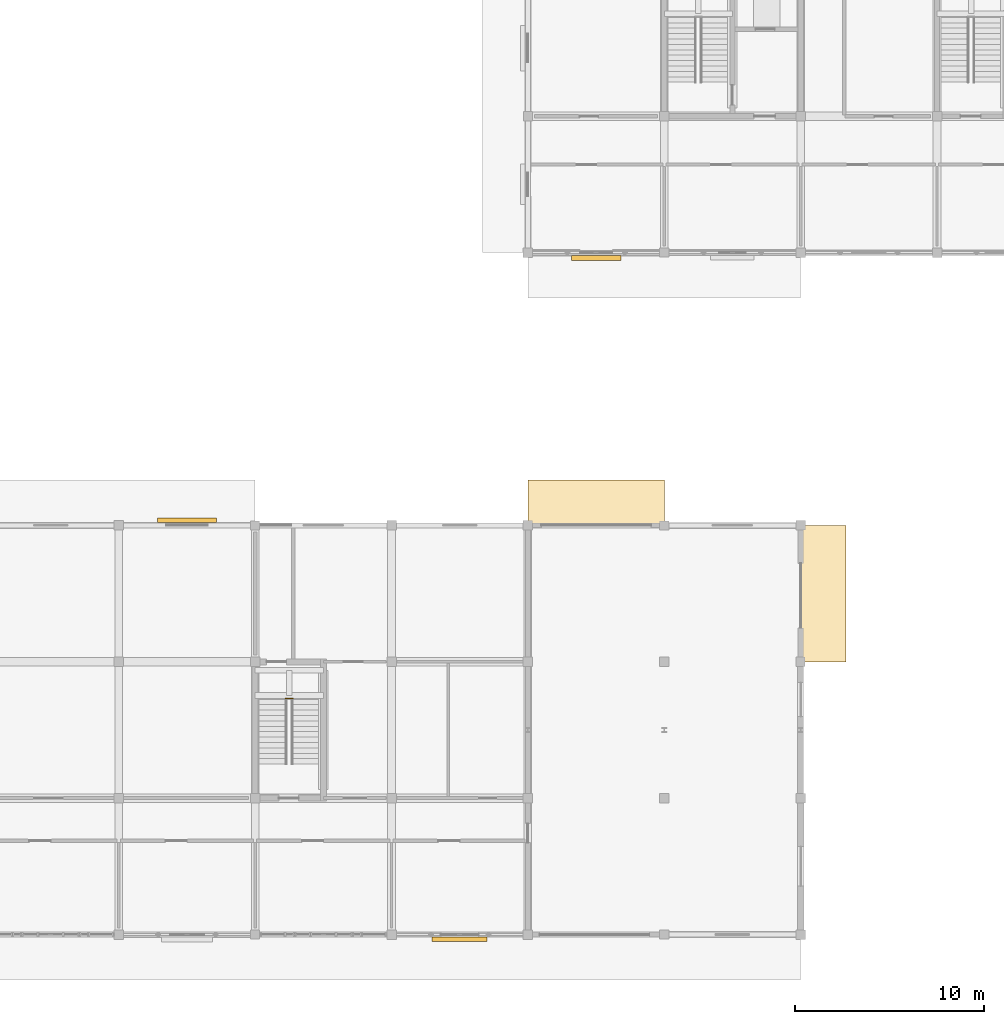
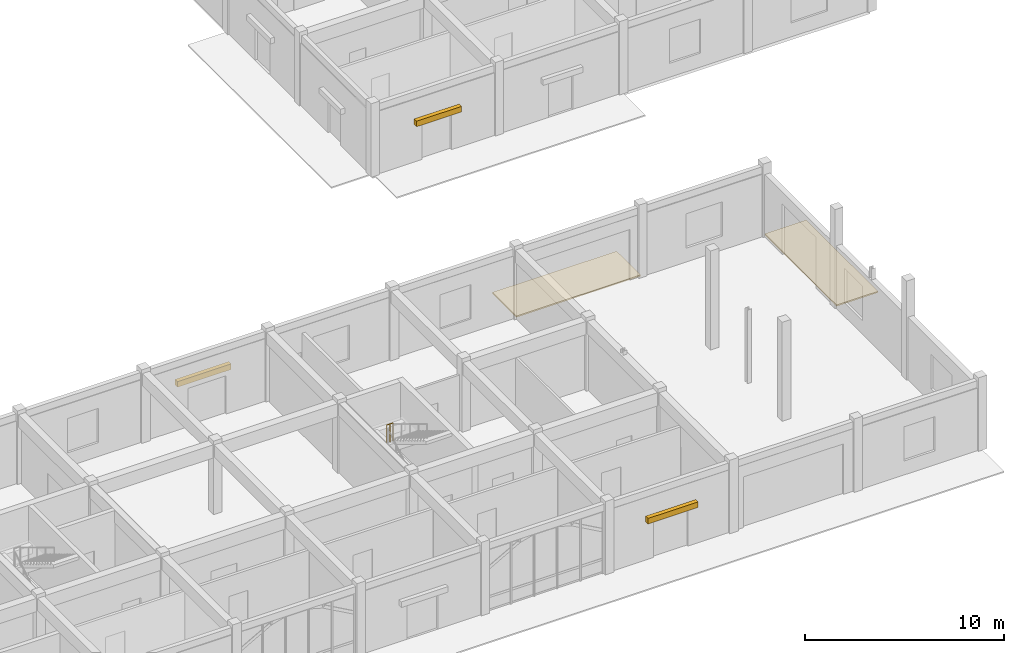
# One storey, part 127 of 138: 5 coverings, 1 railing.
"""IFC4 building model written with IfcOpenShell, lengths in metres."""

from ifc_helpers import new_model, si_unit, direction, frame, origin, origin_2d, place, context, subcontext, project, spatial, polyline, rectangle, circle, outline, extrude, material, layer, layer_set, type_object, element, save


model = new_model("IFC4")

# Units and contexts
model_context = context("Model", 3, precision=1e-05, world=origin(), true_north=direction((0.0, 1.0)))
body_context = subcontext(model_context, "Body", "Model", "MODEL_VIEW")
ifc_project = project(units=[si_unit("LENGTHUNIT", "METRE"), si_unit("AREAUNIT", "SQUARE_METRE"), si_unit("VOLUMEUNIT", "CUBIC_METRE"), si_unit("PLANEANGLEUNIT", "RADIAN"), si_unit("MASSUNIT", "GRAM", prefix="KILO"), si_unit("THERMODYNAMICTEMPERATUREUNIT", "KELVIN"), si_unit("POWERUNIT", "WATT")], contexts=[model_context])

# Site, building, storey
site_placement = place(None, origin())
site = spatial("IfcSite", under=ifc_project, at=site_placement, CompositionType="ELEMENT")
building_placement = place(site_placement, origin())
building = spatial("IfcBuilding", under=site, at=building_placement, Name="Tavuni Mirador Residences", CompositionType="ELEMENT")
storey_placement = place(building_placement, origin())
storey = spatial("IfcBuildingStorey", under=building, at=storey_placement, Name="L00", CompositionType="ELEMENT", Elevation=0.0)

# Coverings
ifc_material_1 = material(Name="Natural coral limestone", Category="masonry")
ifc_layer_1 = layer(ifc_material_1, 0.054931640625, Name="Natural coral limestone", Category="masonry")
ifc_layer_set_1 = layer_set([ifc_layer_1], Name="Natural coral limestone")
covering_type_1 = type_object("IfcCoveringType", Name="CVT-CLAD-CORAL", PredefinedType="CLADDING", material=ifc_layer_set_1)
covering_1_placement = place(storey_placement, frame((93.60498046875, 42.91796875, 2.2998046875), z_axis=(0.0, 0.0, 1.0), x_axis=(1.0, 0.0, 0.0)))
element("IfcCovering", 1, at=covering_1_placement, inside=storey, type_object=covering_type_1, Name="CLAD-PAV-NURS-S00", PredefinedType="CLADDING", context=body_context, shape_type="SweptSolid", body=[
    extrude(rectangle(XDim=2.60009765625, YDim=0.239990234375, at=origin_2d()), origin(), (0.0, 0.0, 1.0), 0.340087890625),
])
covering_2_placement = place(storey_placement, frame((86.39990234375, 6.95556640625, 2.35009765625), z_axis=(0.0, 0.0, 1.0), x_axis=(1.0, 0.0, 0.0)))
element("IfcCovering", 2, at=covering_2_placement, inside=storey, type_object=covering_type_1, Name="CLAD-PAV-SHOP-S05", PredefinedType="CLADDING", context=body_context, shape_type="SweptSolid", body=[
    extrude(rectangle(XDim=2.89990234375, YDim=0.239990234375, at=origin_2d()), origin(), (0.0, 0.0, 1.0), 0.340087890625),
])
covering_3_placement = place(storey_placement, frame((72.0048828125, 29.06201171875, 2.39990234375), z_axis=(0.0, 0.0, 1.0), x_axis=(-1.0, 0.0, 0.0)))
element("IfcCovering", 3, at=covering_3_placement, inside=storey, type_object=covering_type_1, Name="CLAD-PAV-SHOP-N03", PredefinedType="CLADDING", context=body_context, shape_type="SweptSolid", body=[
    extrude(rectangle(XDim=3.10009765625, YDim=0.239990234375, at=origin_2d()), origin(), (0.0, 0.0, 1.0), 0.340087890625),
])
ifc_material_2 = material(Name="Dressed coral-stone paving", Category="masonry")
ifc_layer_2 = layer(ifc_material_2, 0.080078125, Name="Dressed coral-stone paving", Category="masonry")
ifc_layer_set_2 = layer_set([ifc_layer_2], Name="Dressed coral-stone paving")
covering_type_2 = type_object("IfcCoveringType", Name="CVT-PAV-COURT", PredefinedType="USERDEFINED", material=ifc_layer_set_2)
covering_4_placement = place(storey_placement, frame((0.0, 0.0, -0.080078125)))
element("IfcCovering", 4, at=covering_4_placement, inside=storey, type_object=covering_type_2, Name="PAV-APR-SHOP-CPN", ObjectType="PAVING", PredefinedType="USERDEFINED", context=body_context, shape_type="SweptSolid", body=[
    extrude(outline(polyline([(90.0, 28.800048828125), (97.199951171875, 28.800048828125), (97.199951171875, 31.199951171875), (90.0, 31.199951171875), (90.0, 28.800048828125)])), origin(), (0.0, 0.0, 1.0), 0.080078125),
])
covering_5_placement = place(storey_placement, frame((0.0, 0.0, -0.080078125)))
element("IfcCovering", 5, at=covering_5_placement, inside=storey, type_object=covering_type_2, Name="PAV-APR-SHOP-E", ObjectType="PAVING", PredefinedType="USERDEFINED", context=body_context, shape_type="SweptSolid", body=[
    extrude(outline(polyline([(104.39990234375, 21.60009765625), (106.800048828125, 21.60009765625), (106.800048828125, 28.800048828125), (104.39990234375, 28.800048828125), (104.39990234375, 21.60009765625)])), origin(), (0.0, 0.0, 1.0), 0.080078125),
])

# Railing
ifc_material_3 = material(Name="Structural steel S355", Category="steel")
railing_type = type_object("IfcRailingType", Name="RT-GR1120", PredefinedType="GUARDRAIL", material=ifc_material_3)
railing_placement = place(storey_placement, frame((77.219970703125, 19.659912109375, 2.25)))
element("IfcRailing", 6, at=railing_placement, inside=storey, type_object=railing_type, Name="GRD-HL-ST10-L00", PredefinedType="GUARDRAIL", context=body_context, shape_type="SweptSolid", body=[
    extrude(circle(Radius=0.02392578125, at=origin_2d()), frame((0.0, 0.0, 1.09619140625), z_axis=(1.0, 0.0, 0.0), x_axis=(0.0, 1.0, 0.0)), (0.0, 0.0, 1.0), 0.360107421875),
    extrude(circle(Radius=0.02099609375, at=origin_2d()), origin(), (0.0, 0.0, 1.0), 1.072021484375),
    extrude(circle(Radius=0.02099609375, at=origin_2d()), frame((0.18017578125, 0.0, 0.0)), (0.0, 0.0, 1.0), 1.072021484375),
    extrude(circle(Radius=0.02099609375, at=origin_2d()), frame((0.360107421875, 0.0, 0.0)), (0.0, 0.0, 1.0), 1.072021484375),
])

save(model, "model.ifc")
